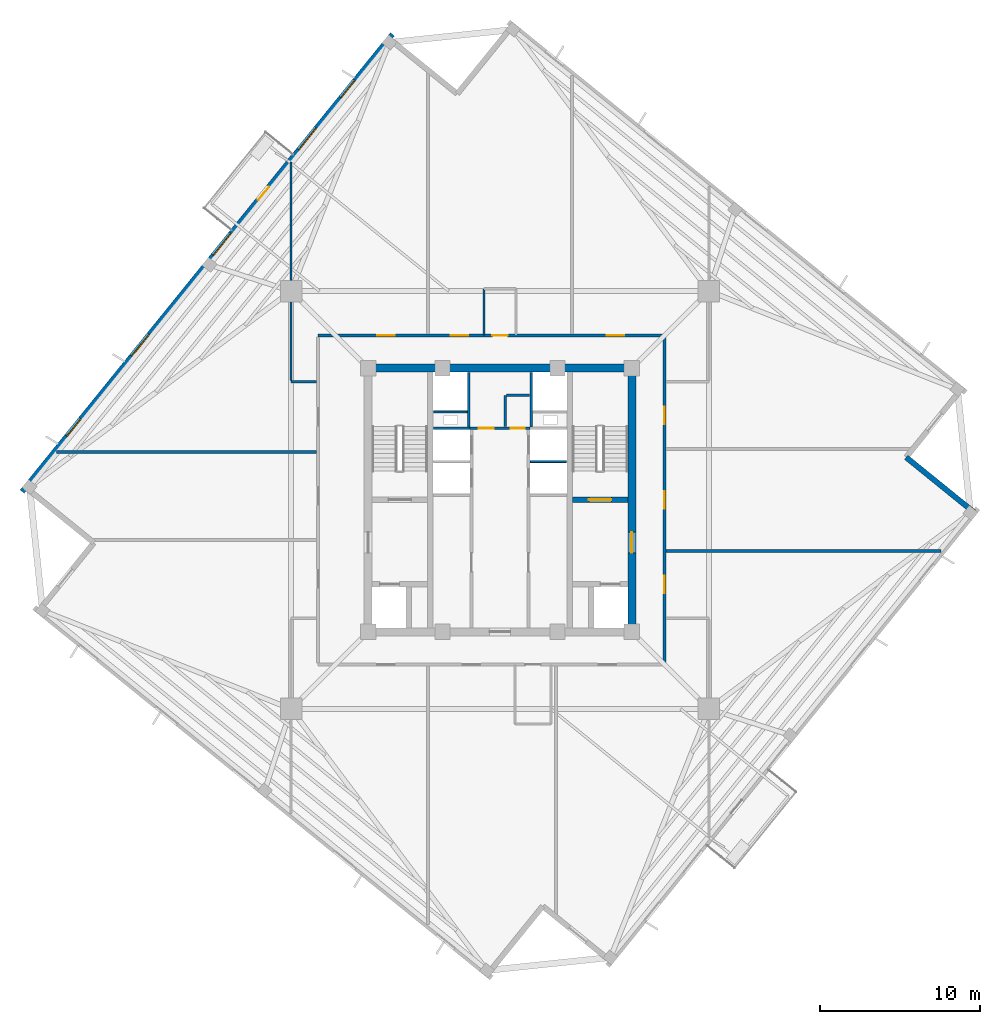
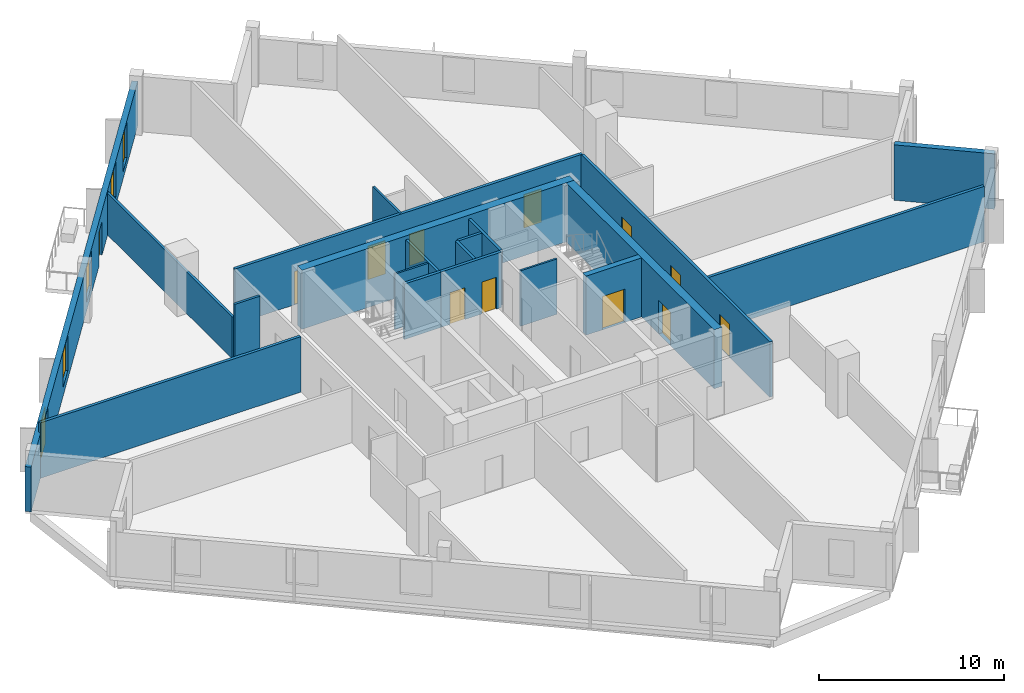
# One storey, part 4 of 9: 20 walls, 12 doors, 5 windows, 17 openings.
"""IFC4 building model written with IfcOpenShell, lengths in metres."""

from ifc_helpers import new_model, si_unit, direction, frame, frame_2d, origin, place, context, subcontext, project, spatial, rectangle, extrude, source, transform, mapped, material, layer, layer_set, type_object, element, fill, save


model = new_model("IFC4")

# Units and contexts
model_context = context("Model", 3, precision=1e-05, world=origin(), true_north=direction((0.0, 1.0)))
body_context = subcontext(model_context, "Body", "Model", "MODEL_VIEW")
ifc_project = project(units=[si_unit("LENGTHUNIT", "METRE"), si_unit("AREAUNIT", "SQUARE_METRE"), si_unit("VOLUMEUNIT", "CUBIC_METRE"), si_unit("PLANEANGLEUNIT", "RADIAN"), si_unit("MASSUNIT", "GRAM", prefix="KILO"), si_unit("THERMODYNAMICTEMPERATUREUNIT", "KELVIN")], contexts=[model_context])

# Site, building, storey
site_placement = place(None, origin())
site = spatial("IfcSite", under=ifc_project, at=site_placement, CompositionType="ELEMENT")
building_placement = place(site_placement, origin())
building = spatial("IfcBuilding", under=site, at=building_placement, Name="Kosmvard Interchange Tower", CompositionType="ELEMENT")
storey_placement = place(building_placement, frame((0.0, 0.0, 236.800048828125)))
storey = spatial("IfcBuildingStorey", under=building, at=storey_placement, Name="L57", CompositionType="ELEMENT", Elevation=236.800048828125)

# Walls
ifc_material_1 = material(Name="Acoustic gypsum partition system")
ifc_layer_1 = layer(ifc_material_1, 0.14990234375, Name="Acoustic gypsum partition system")
ifc_layer_set_1 = layer_set([ifc_layer_1], Name="Acoustic gypsum partition system")
wall_type_1 = type_object("IfcWallType", Name="Acoustic Suite & Meeting Partition 150", PredefinedType="PARTITIONING", material=ifc_layer_set_1)
wall_1_placement = place(storey_placement, frame((-11.4951171875, 7.39990234375, 0.0), z_axis=(0.0, 0.0, 1.0), x_axis=(-1.0, 0.0, 0.0)))
element("IfcWall", 1, at=wall_1_placement, inside=storey, type_object=wall_type_1, Name="L57 Room Partition 09.1", PredefinedType="PARTITIONING", context=body_context, shape_type="SweptSolid", body=[
    extrude(rectangle(XDim=1.5859375, YDim=0.14990234375, at=frame_2d((0.79296875, 0.0))), origin(), (0.0, 0.0, 1.0), 3.659912109375),
])
wall_2_placement = place(storey_placement, frame((-13.0810546875, 7.47509765625, 0.0), z_axis=(0.0, 0.0, 1.0), x_axis=(0.0, 1.0, 0.0)))
element("IfcWall", 2, at=wall_2_placement, inside=storey, type_object=wall_type_1, Name="L57 Room Partition 10.1", PredefinedType="PARTITIONING", context=body_context, shape_type="SweptSolid", body=[
    extrude(rectangle(XDim=13.67333984375, YDim=0.14990234375, at=frame_2d((6.836669921875, 0.0))), origin(), (0.0, 0.0, 1.0), 2.760009765625),
])
ifc_material_2 = material(Name="Fire-rated gypsum partition system")
ifc_layer_2 = layer(ifc_material_2, 0.159912109375, Name="Fire-rated gypsum partition system")
ifc_layer_set_2 = layer_set([ifc_layer_2], Name="Fire-rated gypsum partition system")
wall_type_2 = type_object("IfcWallType", Name="Core Compartment & Shuttle Lobby Partition 160", PredefinedType="PARTITIONING", material=ifc_layer_set_2)
for number, where, z_axis, x_axis, name in (
    (3, (-1.9599609375, 4.580078125, 0.0), (0.0, 0.0, 1.0), (0.0, 1.0, 0.0), "L57 North Core West Wall"),
    (4, (1.9599609375, 4.580078125, 0.0), (0.0, 0.0, 1.0), (0.0, 1.0, 0.0), "L57 North Core East Wall"),
):
    element("IfcWall", number, at=place(storey_placement, frame(where, z_axis=z_axis, x_axis=x_axis)), inside=storey, type_object=wall_type_2, Name=name, PredefinedType="PARTITIONING", context=body_context, shape_type="SweptSolid", body=[
        extrude(rectangle(XDim=3.39990234375, YDim=0.159912109375, at=frame_2d((1.699951171875, 0.0))), origin(), (0.0, 0.0, 1.0), 3.659912109375),
    ])
ifc_material_3 = material(Name="Concrete blockwork masonry", Category="masonry")
ifc_layer_3 = layer(ifc_material_3, 0.159912109375, Name="Concrete blockwork masonry")
ifc_layer_set_3 = layer_set([ifc_layer_3], Name="Concrete blockwork masonry")
wall_type_3 = type_object("IfcWallType", Name="Core Enclosure Split Wall 160", PredefinedType="PARTITIONING", material=ifc_layer_set_3)
wall_3_placement = place(storey_placement, frame((0.320068359375, 4.60009765625, 0.0), z_axis=(0.0, 0.0, 1.0), x_axis=(0.0, 1.0, 0.0)))
element("IfcWall", 5, at=wall_3_placement, inside=storey, type_object=wall_type_3, Name="L57 Core K3 L-Wall 1", PredefinedType="PARTITIONING", context=body_context, shape_type="SweptSolid", body=[
    extrude(rectangle(XDim=1.949951171875, YDim=0.159912109375, at=frame_2d((0.97509765625, 0.0))), origin(), (0.0, 0.0, 1.0), 3.659912109375),
])
wall_4_placement = place(storey_placement, frame((0.39990234375, 6.550048828125, 0.0), z_axis=(0.0, 0.0, 1.0), x_axis=(1.0, 0.0, 0.0)))
element("IfcWall", 6, at=wall_4_placement, inside=storey, type_object=wall_type_3, Name="L57 Core K3 L-Wall 2", PredefinedType="PARTITIONING", context=body_context, shape_type="SweptSolid", body=[
    extrude(rectangle(XDim=1.460205078125, YDim=0.159912109375, at=frame_2d((0.72998046875, 0.0))), origin(), (0.0, 0.0, 1.0), 3.659912109375),
])

# Wall, openings, doors
ifc_layer_4 = layer(ifc_material_2, 0.179931640625, Name="Fire-rated gypsum partition system")
ifc_layer_set_4 = layer_set([ifc_layer_4], Name="Fire-rated gypsum partition system")
wall_type_4 = type_object("IfcWallType", Name="Corridor & Hotel Compartment Partition 180", PredefinedType="PARTITIONING", material=ifc_layer_set_4)
wall_5_placement = place(storey_placement, frame((-1.8798828125, 4.489990234375, 0.0), z_axis=(0.0, 0.0, 1.0), x_axis=(1.0, 0.0, 0.0)))
wall_5 = element("IfcWall", 7, at=wall_5_placement, inside=storey, type_object=wall_type_4, Name="L57 Lift Lobby North Partition", PredefinedType="PARTITIONING", context=body_context, shape_type="SweptSolid", body=[
    extrude(rectangle(XDim=3.759765625, YDim=0.179931640625, at=frame_2d((1.8798828125, 0.0))), origin(), (0.0, 0.0, 1.0), 3.659912109375),
])
opening_1_placement = place(wall_5_placement, frame((0.550048828125, 0.0, 0.0)))
opening_1 = element("IfcOpeningElement", 8, at=opening_1_placement, cuts=wall_5, Name="Opening L57-KD1", PredefinedType="OPENING", context=body_context, shape_type="SweptSolid", body=[
    extrude(rectangle(XDim=0.949951171875, YDim=2.10009765625, at=frame_2d((0.47509765625, 1.050048828125))), frame((0.0, 0.10009765625, 0.0), z_axis=(0.0, -1.0, 0.0), x_axis=(1.0, 0.0, 0.0)), (0.0, 0.0, 1.0), 0.199951171875),
])
opening_2_placement = place(wall_5_placement, frame((2.56005859375, 0.0, 0.0)))
opening_2 = element("IfcOpeningElement", 9, at=opening_2_placement, cuts=wall_5, Name="Opening L57-KD2", PredefinedType="OPENING", context=body_context, shape_type="SweptSolid", body=[
    extrude(rectangle(XDim=0.8798828125, YDim=2.10009765625, at=frame_2d((0.43994140625, 1.050048828125))), frame((0.0, 0.10009765625, 0.0), z_axis=(0.0, -1.0, 0.0), x_axis=(1.0, 0.0, 0.0)), (0.0, 0.0, 1.0), 0.199951171875),
])
ifc_material_4 = material(Name="Painted fire-rated timber leaf", Category="wood")
door_type_1 = type_object("IfcDoorType", Name="Core Service Fire Door 950x2100 EI30", OperationType="NOTDEFINED", PredefinedType="DOOR", material=ifc_material_4)
shared_shape_1 = source(origin(), body_context, "Body", "SweptSolid", [
    extrude(rectangle(XDim=0.949951171875, YDim=2.10009765625, at=frame_2d((0.47509765625, 1.050048828125))), frame((0.0, 0.02490234375, 0.0), z_axis=(0.0, -1.0, 0.0), x_axis=(1.0, 0.0, 0.0)), (0.0, 0.0, 1.0), 0.050048828125),
])
door_1_placement = place(opening_1_placement, origin())
door_1 = element("IfcDoor", 10, at=door_1_placement, inside=storey, type_object=door_type_1, Name="L57 Core Archive Store Door", OperationType="SINGLE_SWING_LEFT", OverallHeight=2.10009765625, OverallWidth=0.949951171875, PredefinedType="DOOR", context=body_context, shape_type="MappedRepresentation", body=[
    mapped(shared_shape_1, transform((0.0, 0.0, 0.0), scale=1.0)),
])
fill(opening_1, door_1)
door_type_2 = type_object("IfcDoorType", Name="Core Cupboard Fire Door 880x2100 EI30", OperationType="NOTDEFINED", PredefinedType="DOOR", material=ifc_material_4)
shared_shape_2 = source(origin(), body_context, "Body", "SweptSolid", [
    extrude(rectangle(XDim=0.8798828125, YDim=2.10009765625, at=frame_2d((0.43994140625, 1.050048828125))), frame((0.0, 0.02490234375, 0.0), z_axis=(0.0, -1.0, 0.0), x_axis=(1.0, 0.0, 0.0)), (0.0, 0.0, 1.0), 0.050048828125),
])
door_2_placement = place(opening_2_placement, origin())
door_2 = element("IfcDoor", 11, at=door_2_placement, inside=storey, type_object=door_type_2, Name="L57 Core Supplies Cupboard Door", OperationType="SINGLE_SWING_RIGHT", OverallHeight=2.10009765625, OverallWidth=0.8798828125, PredefinedType="DOOR", context=body_context, shape_type="MappedRepresentation", body=[
    mapped(shared_shape_2, transform((0.0, 0.0, 0.0), scale=1.0)),
])
fill(opening_2, door_2)

wall_6_placement = place(storey_placement, frame((-11.39990234375, 10.300048828125, 0.0), z_axis=(0.0, 0.0, 1.0), x_axis=(1.0, 0.0, 0.0)))
wall_6 = element("IfcWall", 12, at=wall_6_placement, inside=storey, type_object=wall_type_4, Name="L57 Corridor Wall CN", PredefinedType="PARTITIONING", context=body_context, shape_type="SweptSolid", body=[
    extrude(rectangle(XDim=21.699951171875, YDim=0.179931640625, at=frame_2d((10.85009765625, 0.0))), origin(), (0.0, 0.0, 1.0), 3.659912109375),
])
opening_3_placement = place(wall_6_placement, frame((10.925048828125, 0.0, 0.0)))
opening_3 = element("IfcOpeningElement", 13, at=opening_3_placement, cuts=wall_6, Name="Opening L57-D01", PredefinedType="OPENING", context=body_context, shape_type="SweptSolid", body=[
    extrude(rectangle(XDim=0.949951171875, YDim=2.10009765625, at=frame_2d((0.47509765625, 1.050048828125))), frame((0.0, 0.10009765625, 0.0), z_axis=(0.0, -1.0, 0.0), x_axis=(1.0, 0.0, 0.0)), (0.0, 0.0, 1.0), 0.199951171875),
])
opening_4_placement = place(wall_6_placement, frame((3.724365234375, 0.0, 0.0)))
opening_4 = element("IfcOpeningElement", 14, at=opening_4_placement, cuts=wall_6, Name="Opening L57-D04", PredefinedType="OPENING", context=body_context, shape_type="SweptSolid", body=[
    extrude(rectangle(XDim=1.10009765625, YDim=2.199951171875, at=frame_2d((0.550048828125, 1.10009765625))), frame((0.0, 0.10009765625, 0.0), z_axis=(0.0, -1.0, 0.0), x_axis=(1.0, 0.0, 0.0)), (0.0, 0.0, 1.0), 0.199951171875),
])
opening_5_placement = place(wall_6_placement, frame((8.325927734375, 0.0, 0.0)))
opening_5 = element("IfcOpeningElement", 15, at=opening_5_placement, cuts=wall_6, Name="Opening L57-D05", PredefinedType="OPENING", context=body_context, shape_type="SweptSolid", body=[
    extrude(rectangle(XDim=1.10009765625, YDim=2.199951171875, at=frame_2d((0.550048828125, 1.10009765625))), frame((0.0, 0.10009765625, 0.0), z_axis=(0.0, -1.0, 0.0), x_axis=(1.0, 0.0, 0.0)), (0.0, 0.0, 1.0), 0.199951171875),
])
opening_6_placement = place(wall_6_placement, frame((18.08544921875, 0.0, 0.0)))
opening_6 = element("IfcOpeningElement", 16, at=opening_6_placement, cuts=wall_6, Name="Opening L57-D06", PredefinedType="OPENING", context=body_context, shape_type="SweptSolid", body=[
    extrude(rectangle(XDim=1.10009765625, YDim=2.199951171875, at=frame_2d((0.550048828125, 1.10009765625))), frame((0.0, 0.10009765625, 0.0), z_axis=(0.0, -1.0, 0.0), x_axis=(1.0, 0.0, 0.0)), (0.0, 0.0, 1.0), 0.199951171875),
])
ifc_material_5 = material(Name="Laminated moisture-resistant timber", Category="wood")
door_type_3 = type_object("IfcDoorType", Name="Accessible Washroom Door 950x2100", OperationType="NOTDEFINED", PredefinedType="DOOR", material=ifc_material_5)
door_3_placement = place(opening_3_placement, origin())
door_3 = element("IfcDoor", 17, at=door_3_placement, inside=storey, type_object=door_type_3, Name="L57 Accessible Toilet Door", OperationType="SINGLE_SWING_LEFT", OverallHeight=2.10009765625, OverallWidth=0.949951171875, PredefinedType="DOOR", context=body_context, shape_type="MappedRepresentation", body=[
    mapped(shared_shape_1, transform((0.0, 0.0, 0.0), scale=1.0)),
])
fill(opening_3, door_3)
ifc_material_6 = material(Name="Engineered oak fire-rated timber", Category="wood")
door_type_4 = type_object("IfcDoorType", Name="Office Suite Entrance Door 1100x2200 FD30S", OperationType="NOTDEFINED", PredefinedType="DOOR", material=ifc_material_6)
shared_shape_3 = source(origin(), body_context, "Body", "SweptSolid", [
    extrude(rectangle(XDim=1.10009765625, YDim=2.199951171875, at=frame_2d((0.550048828125, 1.10009765625))), frame((0.0, 0.02490234375, 0.0), z_axis=(0.0, -1.0, 0.0), x_axis=(1.0, 0.0, 0.0)), (0.0, 0.0, 1.0), 0.050048828125),
])
door_4_placement = place(opening_4_placement, origin())
door_4 = element("IfcDoor", 18, at=door_4_placement, inside=storey, type_object=door_type_4, Name="L57 North Horizon Boardroom Door", OperationType="SINGLE_SWING_RIGHT", OverallHeight=2.199951171875, OverallWidth=1.10009765625, PredefinedType="DOOR", context=body_context, shape_type="MappedRepresentation", body=[
    mapped(shared_shape_3, transform((0.0, 0.0, 0.0), scale=1.0)),
])
fill(opening_4, door_4)
door_5_placement = place(opening_5_placement, origin())
door_5 = element("IfcDoor", 19, at=door_5_placement, inside=storey, type_object=door_type_4, Name="L57 North-East Corner Office Door", OperationType="SINGLE_SWING_LEFT", OverallHeight=2.199951171875, OverallWidth=1.10009765625, PredefinedType="DOOR", context=body_context, shape_type="MappedRepresentation", body=[
    mapped(shared_shape_3, transform((0.0, 0.0, 0.0), scale=1.0)),
])
fill(opening_5, door_5)
door_6_placement = place(opening_6_placement, origin())
door_6 = element("IfcDoor", 20, at=door_6_placement, inside=storey, type_object=door_type_4, Name="L57 East Executive Office 3 Door", OperationType="SINGLE_SWING_RIGHT", OverallHeight=2.199951171875, OverallWidth=1.10009765625, PredefinedType="DOOR", context=body_context, shape_type="MappedRepresentation", body=[
    mapped(shared_shape_3, transform((0.0, 0.0, 0.0), scale=1.0)),
])
fill(opening_6, door_6)

wall_7_placement = place(storey_placement, frame((10.300048828125, -10.199951171875, 0.0), z_axis=(0.0, 0.0, 1.0), x_axis=(0.0, 1.0, 0.0)))
wall_7 = element("IfcWall", 21, at=wall_7_placement, inside=storey, type_object=wall_type_4, Name="L57 Corridor Wall CE", PredefinedType="PARTITIONING", context=body_context, shape_type="SweptSolid", body=[
    extrude(rectangle(XDim=20.39990234375, YDim=0.179931640625, at=frame_2d((10.199951171875, 0.0))), origin(), (0.0, 0.0, 1.0), 3.659912109375),
])
opening_7_placement = place(wall_7_placement, frame((14.949951171875, 0.0, 0.0)))
opening_7 = element("IfcOpeningElement", 22, at=opening_7_placement, cuts=wall_7, Name="Opening L57-D07", PredefinedType="OPENING", context=body_context, shape_type="SweptSolid", body=[
    extrude(rectangle(XDim=1.10009765625, YDim=2.199951171875, at=frame_2d((0.550048828125, 1.10009765625))), frame((0.0, 0.10009765625, 0.0), z_axis=(0.0, -1.0, 0.0), x_axis=(1.0, 0.0, 0.0)), (0.0, 0.0, 1.0), 0.199951171875),
])
opening_8_placement = place(wall_7_placement, frame((9.64990234375, 0.0, 0.0)))
opening_8 = element("IfcOpeningElement", 23, at=opening_8_placement, cuts=wall_7, Name="Opening L57-D08", PredefinedType="OPENING", context=body_context, shape_type="SweptSolid", body=[
    extrude(rectangle(XDim=1.10009765625, YDim=2.199951171875, at=frame_2d((0.550048828125, 1.10009765625))), frame((0.0, 0.10009765625, 0.0), z_axis=(0.0, -1.0, 0.0), x_axis=(1.0, 0.0, 0.0)), (0.0, 0.0, 1.0), 0.199951171875),
])
opening_9_placement = place(wall_7_placement, frame((4.35009765625, 0.0, 0.0)))
opening_9 = element("IfcOpeningElement", 24, at=opening_9_placement, cuts=wall_7, Name="Opening L57-D09", PredefinedType="OPENING", context=body_context, shape_type="SweptSolid", body=[
    extrude(rectangle(XDim=1.10009765625, YDim=2.199951171875, at=frame_2d((0.550048828125, 1.10009765625))), frame((0.0, 0.10009765625, 0.0), z_axis=(0.0, -1.0, 0.0), x_axis=(1.0, 0.0, 0.0)), (0.0, 0.0, 1.0), 0.199951171875),
])
door_7_placement = place(opening_7_placement, frame((1.10009765625, 0.0, 0.0), z_axis=(0.0, 0.0, 1.0), x_axis=(-1.0, 0.0, 0.0)))
door_7 = element("IfcDoor", 25, at=door_7_placement, inside=storey, type_object=door_type_4, Name="L57 East Executive Office 4 Door", OperationType="SINGLE_SWING_LEFT", OverallHeight=2.199951171875, OverallWidth=1.10009765625, PredefinedType="DOOR", context=body_context, shape_type="MappedRepresentation", body=[
    mapped(shared_shape_3, transform((0.0, 0.0, 0.0), scale=1.0)),
])
fill(opening_7, door_7)
door_8_placement = place(opening_8_placement, frame((1.10009765625, 0.0, 0.0), z_axis=(0.0, 0.0, 1.0), x_axis=(-1.0, 0.0, 0.0)))
door_8 = element("IfcDoor", 26, at=door_8_placement, inside=storey, type_object=door_type_4, Name="L57 South-East Corner Office Door", OperationType="SINGLE_SWING_RIGHT", OverallHeight=2.199951171875, OverallWidth=1.10009765625, PredefinedType="DOOR", context=body_context, shape_type="MappedRepresentation", body=[
    mapped(shared_shape_3, transform((0.0, 0.0, 0.0), scale=1.0)),
])
fill(opening_8, door_8)
door_9_placement = place(opening_9_placement, frame((1.10009765625, 0.0, 0.0), z_axis=(0.0, 0.0, 1.0), x_axis=(-1.0, 0.0, 0.0)))
door_9 = element("IfcDoor", 27, at=door_9_placement, inside=storey, type_object=door_type_4, Name="L57 South Conference Room 2 Door", OperationType="SINGLE_SWING_LEFT", OverallHeight=2.199951171875, OverallWidth=1.10009765625, PredefinedType="DOOR", context=body_context, shape_type="MappedRepresentation", body=[
    mapped(shared_shape_3, transform((0.0, 0.0, 0.0), scale=1.0)),
])
fill(opening_9, door_9)

# Walls
wall_8_placement = place(storey_placement, frame((10.39501953125, -3.199951171875, 0.0), z_axis=(0.0, 0.0, 1.0), x_axis=(1.0, 0.0, 0.0)))
element("IfcWall", 28, at=wall_8_placement, inside=storey, type_object=wall_type_4, Name="L57 Room Partition 04.1", PredefinedType="PARTITIONING", context=body_context, shape_type="SweptSolid", body=[
    extrude(rectangle(XDim=17.220458984375, YDim=0.179931640625, at=frame_2d((8.6103515625, 0.0))), origin(), (0.0, 0.0, 1.0), 3.659912109375),
])
wall_9_placement = place(storey_placement, frame((-11.4951171875, 3.0, 0.0), z_axis=(0.0, 0.0, 1.0), x_axis=(-1.0, 0.0, 0.0)))
element("IfcWall", 29, at=wall_9_placement, inside=storey, type_object=wall_type_4, Name="L57 Room Partition 08.1", PredefinedType="PARTITIONING", context=body_context, shape_type="SweptSolid", body=[
    extrude(rectangle(XDim=16.2822265625, YDim=0.179931640625, at=frame_2d((8.14111328125, 0.0))), origin(), (0.0, 0.0, 1.0), 3.659912109375),
])
ifc_material_7 = material(Name="Precast concrete C45/55", Category="concrete")
ifc_layer_5 = layer(ifc_material_7, 0.340087890625, Name="Precast concrete C45/55")
ifc_layer_set_5 = layer_set([ifc_layer_5], Name="Precast concrete C45/55")
wall_type_5 = type_object("IfcWallType", Name="Mid Tower Precast Pier Wall 340 C45/55", PredefinedType="STANDARD", material=ifc_layer_set_5)
wall_10_placement = place(storey_placement, frame((29.703125, -0.78857421875, 0.0), z_axis=(0.0, 0.0, 1.0), x_axis=(-0.77714355312, 0.629323365087, 0.0)))
element("IfcWall", 30, at=wall_10_placement, inside=storey, type_object=wall_type_5, Name="L57 Precast Facade Wall N-SE1", PredefinedType="STANDARD", context=body_context, shape_type="SweptSolid", body=[
    extrude(rectangle(XDim=5.499755859375, YDim=0.340087890625, at=frame_2d((2.75, 0.0))), origin(), (0.0, 0.0, 1.0), 3.659912109375),
])

# Wall, openings, door, windows
wall_11_placement = place(storey_placement, frame((-6.73291015625, 29.154296875, 0.0), z_axis=(0.0, 0.0, 1.0), x_axis=(-0.629325378072, -0.77714192302, 0.0)))
wall_11 = element("IfcWall", 31, at=wall_11_placement, inside=storey, type_object=wall_type_5, Name="L57 Precast Facade Wall F-N", PredefinedType="STANDARD", context=body_context, shape_type="SweptSolid", body=[
    extrude(rectangle(XDim=36.840087890625, YDim=0.340087890625, at=frame_2d((18.419921875, 0.0))), origin(), (0.0, 0.0, 1.0), 2.9599609375),
])
opening_10_placement = place(wall_11_placement, frame((12.294921875, 0.0, 0.0)))
opening_10 = element("IfcOpeningElement", 32, at=opening_10_placement, cuts=wall_11, Name="Opening L57-BDN", PredefinedType="OPENING", context=body_context, shape_type="SweptSolid", body=[
    extrude(rectangle(XDim=1.050048828125, YDim=2.25, at=frame_2d((0.52490234375, 1.125))), frame((0.0, 0.18017578125, 0.0), z_axis=(0.0, -1.0, 0.0), x_axis=(1.0, 0.0, 0.0)), (0.0, 0.0, 1.0), 0.360107421875),
])
opening_11_placement = place(wall_11_placement, frame((3.720703125, 0.0, 0.47998046875)))
opening_11 = element("IfcOpeningElement", 33, at=opening_11_placement, cuts=wall_11, Name="Opening L57-W11", PredefinedType="OPENING", context=body_context, shape_type="SweptSolid", body=[
    extrude(rectangle(XDim=1.39990234375, YDim=2.39990234375, at=frame_2d((0.699951171875, 1.199951171875))), frame((0.0, 0.18017578125, 0.0), z_axis=(0.0, -1.0, 0.0), x_axis=(1.0, 0.0, 0.0)), (0.0, 0.0, 1.0), 0.360107421875),
])
opening_12_placement = place(wall_11_placement, frame((7.55859375, 0.0, 0.580078125)))
opening_12 = element("IfcOpeningElement", 34, at=opening_12_placement, cuts=wall_11, Name="Opening L57-W12", PredefinedType="OPENING", context=body_context, shape_type="SweptSolid", body=[
    extrude(rectangle(XDim=1.75, YDim=2.300048828125, at=frame_2d((0.875, 1.14990234375))), frame((0.0, 0.18017578125, 0.0), z_axis=(0.0, -1.0, 0.0), x_axis=(1.0, 0.0, 0.0)), (0.0, 0.0, 1.0), 0.360107421875),
])
opening_13_placement = place(wall_11_placement, frame((16.05810546875, 0.0, 0.580078125)))
opening_13 = element("IfcOpeningElement", 35, at=opening_13_placement, cuts=wall_11, Name="Opening L57-W13", PredefinedType="OPENING", context=body_context, shape_type="SweptSolid", body=[
    extrude(rectangle(XDim=1.75, YDim=2.300048828125, at=frame_2d((0.875, 1.14990234375))), frame((0.0, 0.18017578125, 0.0), z_axis=(0.0, -1.0, 0.0), x_axis=(1.0, 0.0, 0.0)), (0.0, 0.0, 1.0), 0.360107421875),
])
opening_14_placement = place(wall_11_placement, frame((24.17626953125, 0.0, 0.580078125)))
opening_14 = element("IfcOpeningElement", 36, at=opening_14_placement, cuts=wall_11, Name="Opening L57-W14", PredefinedType="OPENING", context=body_context, shape_type="SweptSolid", body=[
    extrude(rectangle(XDim=1.75, YDim=2.300048828125, at=frame_2d((0.875, 1.14990234375))), frame((0.0, 0.18017578125, 0.0), z_axis=(0.0, -1.0, 0.0), x_axis=(1.0, 0.0, 0.0)), (0.0, 0.0, 1.0), 0.360107421875),
])
opening_15_placement = place(wall_11_placement, frame((30.982421875, 0.0, 0.47998046875)))
opening_15 = element("IfcOpeningElement", 37, at=opening_15_placement, cuts=wall_11, Name="Opening L57-W15", PredefinedType="OPENING", context=body_context, shape_type="SweptSolid", body=[
    extrude(rectangle(XDim=1.39990234375, YDim=2.39990234375, at=frame_2d((0.699951171875, 1.199951171875))), frame((0.0, 0.18017578125, 0.0), z_axis=(0.0, -1.0, 0.0), x_axis=(1.0, 0.0, 0.0)), (0.0, 0.0, 1.0), 0.360107421875),
])
ifc_material_8 = material(Name="Anodised aluminium and safety glass", Category="aluminium")
door_type_5 = type_object("IfcDoorType", Name="Tree-Balcony Glazed Door 1050x2250", OperationType="NOTDEFINED", PredefinedType="DOOR", material=ifc_material_8)
shared_shape_4 = source(origin(), body_context, "Body", "SweptSolid", [
    extrude(rectangle(XDim=1.050048828125, YDim=2.25, at=frame_2d((0.52490234375, 1.125))), frame((0.0, 0.02490234375, 0.0), z_axis=(0.0, -1.0, 0.0), x_axis=(1.0, 0.0, 0.0)), (0.0, 0.0, 1.0), 0.050048828125),
])
door_10_placement = place(opening_10_placement, origin())
door_10 = element("IfcDoor", 38, at=door_10_placement, inside=storey, type_object=door_type_5, Name="L57 Tree-Balcony Door BAL-L57-N", OperationType="SINGLE_SWING_RIGHT", OverallHeight=2.25, OverallWidth=1.050048828125, PredefinedType="DOOR", context=body_context, shape_type="MappedRepresentation", body=[
    mapped(shared_shape_4, transform((0.0, 0.0, 0.0), scale=1.0)),
])
fill(opening_10, door_10)
ifc_material_9 = material(Name="Low-E solar-control double glazing", Category="glass")
window_type_1 = type_object("IfcWindowType", Name="Notched Corner Feature Window 1400x2400", PartitioningType="SINGLE_PANEL", PredefinedType="WINDOW", material=ifc_material_9)
shared_shape_5 = source(origin(), body_context, "Body", "SweptSolid", [
    extrude(rectangle(XDim=1.39990234375, YDim=2.39990234375, at=frame_2d((0.699951171875, 1.199951171875))), frame((0.0, 0.030029296875, 0.0), z_axis=(0.0, -1.0, 0.0), x_axis=(1.0, 0.0, 0.0)), (0.0, 0.0, 1.0), 0.06005859375),
])
window_1_placement = place(opening_11_placement, origin())
window_1 = element("IfcWindow", 39, at=window_1_placement, inside=storey, type_object=window_type_1, Name="L57 Facade Punched Window 11", OverallHeight=2.39990234375, OverallWidth=1.39990234375, PartitioningType="SINGLE_PANEL", PredefinedType="WINDOW", context=body_context, shape_type="MappedRepresentation", body=[
    mapped(shared_shape_5, transform((0.0, 0.0, 0.0), scale=1.0)),
])
fill(opening_11, window_1)
window_2_placement = place(opening_15_placement, origin())
window_2 = element("IfcWindow", 40, at=window_2_placement, inside=storey, type_object=window_type_1, Name="L57 Facade Punched Window 15", OverallHeight=2.39990234375, OverallWidth=1.39990234375, PartitioningType="SINGLE_PANEL", PredefinedType="WINDOW", context=body_context, shape_type="MappedRepresentation", body=[
    mapped(shared_shape_5, transform((0.0, 0.0, 0.0), scale=1.0)),
])
fill(opening_15, window_2)
window_type_2 = type_object("IfcWindowType", Name="Zone 4 Suite Punched Window 1750x2300", PartitioningType="SINGLE_PANEL", PredefinedType="WINDOW", material=ifc_material_9)
shared_shape_6 = source(origin(), body_context, "Body", "SweptSolid", [
    extrude(rectangle(XDim=1.75, YDim=2.300048828125, at=frame_2d((0.875, 1.14990234375))), frame((0.0, 0.030029296875, 0.0), z_axis=(0.0, -1.0, 0.0), x_axis=(1.0, 0.0, 0.0)), (0.0, 0.0, 1.0), 0.06005859375),
])
window_3_placement = place(opening_12_placement, origin())
window_3 = element("IfcWindow", 41, at=window_3_placement, inside=storey, type_object=window_type_2, Name="L57 Facade Punched Window 12", OverallHeight=2.300048828125, OverallWidth=1.75, PartitioningType="SINGLE_PANEL", PredefinedType="WINDOW", context=body_context, shape_type="MappedRepresentation", body=[
    mapped(shared_shape_6, transform((0.0, 0.0, 0.0), scale=1.0)),
])
fill(opening_12, window_3)
window_4_placement = place(opening_13_placement, origin())
window_4 = element("IfcWindow", 42, at=window_4_placement, inside=storey, type_object=window_type_2, Name="L57 Facade Punched Window 13", OverallHeight=2.300048828125, OverallWidth=1.75, PartitioningType="SINGLE_PANEL", PredefinedType="WINDOW", context=body_context, shape_type="MappedRepresentation", body=[
    mapped(shared_shape_6, transform((0.0, 0.0, 0.0), scale=1.0)),
])
fill(opening_13, window_4)
window_5_placement = place(opening_14_placement, origin())
window_5 = element("IfcWindow", 43, at=window_5_placement, inside=storey, type_object=window_type_2, Name="L57 Facade Punched Window 14", OverallHeight=2.300048828125, OverallWidth=1.75, PartitioningType="SINGLE_PANEL", PredefinedType="WINDOW", context=body_context, shape_type="MappedRepresentation", body=[
    mapped(shared_shape_6, transform((0.0, 0.0, 0.0), scale=1.0)),
])
fill(opening_14, window_5)

# Walls
ifc_layer_6 = layer(ifc_material_3, 0.179931640625, Name="Concrete blockwork masonry")
ifc_layer_set_6 = layer_set([ifc_layer_6], Name="Concrete blockwork masonry")
wall_type_6 = type_object("IfcWallType", Name="Riser & Lift Bank Divider Wall 180", PredefinedType="PARTITIONING", material=ifc_layer_set_6)
wall_12_placement = place(storey_placement, frame((-4.169921875, 4.489990234375, 0.0), z_axis=(0.0, 0.0, 1.0), x_axis=(1.0, 0.0, 0.0)))
element("IfcWall", 44, at=wall_12_placement, inside=storey, type_object=wall_type_6, Name="L57 West Bank Divider BD3", PredefinedType="PARTITIONING", context=body_context, shape_type="SweptSolid", body=[
    extrude(rectangle(XDim=2.280029296875, YDim=0.179931640625, at=frame_2d((1.14013671875, 0.0))), origin(), (0.0, 0.0, 1.0), 3.659912109375),
])
ifc_material_10 = material(Name="Fire-rated gypsum shaftwall system")
ifc_layer_7 = layer(ifc_material_10, 0.1201171875, Name="Fire-rated gypsum shaftwall system")
ifc_layer_set_7 = layer_set([ifc_layer_7], Name="Fire-rated gypsum shaftwall system")
wall_type_7 = type_object("IfcWallType", Name="Shaft & Riser Fire Partition 120 EI60", PredefinedType="PARTITIONING", material=ifc_layer_set_7)
wall_13_placement = place(storey_placement, frame((1.89990234375, 2.39990234375, 0.0), z_axis=(0.0, 0.0, 1.0), x_axis=(1.0, 0.0, 0.0)))
element("IfcWall", 45, at=wall_13_placement, inside=storey, type_object=wall_type_7, Name="L57 Shaft Divider PL-H3", PredefinedType="PARTITIONING", context=body_context, shape_type="SweptSolid", body=[
    extrude(rectangle(XDim=2.260009765625, YDim=0.1201171875, at=frame_2d((1.1298828125, 0.0))), origin(), (0.0, 0.0, 1.0), 3.659912109375),
])
wall_14_placement = place(storey_placement, frame((-4.159912109375, 5.52001953125, 0.0), z_axis=(0.0, 0.0, 1.0), x_axis=(1.0, 0.0, 0.0)))
element("IfcWall", 46, at=wall_14_placement, inside=storey, type_object=wall_type_7, Name="L57 Riser Shaft Divider W", PredefinedType="PARTITIONING", context=body_context, shape_type="SweptSolid", body=[
    extrude(rectangle(XDim=2.099853515625, YDim=0.1201171875, at=frame_2d((1.0498046875, 0.0))), origin(), (0.0, 0.0, 1.0), 3.659912109375),
])

# Wall, opening, door
ifc_material_11 = material(Name="Concrete C60/75", Category="concrete")
ifc_layer_8 = layer(ifc_material_11, 0.360107421875, Name="Concrete C60/75")
ifc_layer_set_8 = layer_set([ifc_layer_8], Name="Concrete C60/75")
wall_type_8 = type_object("IfcWallType", Name="Stair & Lift Shaft Shear Wall 360 C60/75", PredefinedType="SHEAR", material=ifc_layer_set_8)
wall_15_placement = place(storey_placement, frame((4.5400390625, 0.02001953125, 0.0), z_axis=(0.0, 0.0, 1.0), x_axis=(1.0, 0.0, 0.0)))
wall_15 = element("IfcWall", 47, at=wall_15_placement, inside=storey, type_object=wall_type_8, Name="L57 Shaft Shear Wall SW-ST2", PredefinedType="SHEAR", context=body_context, shape_type="SweptSolid", body=[
    extrude(rectangle(XDim=3.4599609375, YDim=0.360107421875, at=frame_2d((1.72998046875, 0.0))), origin(), (0.0, 0.0, 1.0), 3.89990234375),
])
opening_16_placement = place(wall_15_placement, frame((1.030029296875, 0.0, 0.0)))
opening_16 = element("IfcOpeningElement", 48, at=opening_16_placement, cuts=wall_15, Name="Opening L57-SD2", PredefinedType="OPENING", context=body_context, shape_type="SweptSolid", body=[
    extrude(rectangle(XDim=1.39990234375, YDim=2.199951171875, at=frame_2d((0.699951171875, 1.10009765625))), frame((0.0, 0.18994140625, 0.0), z_axis=(0.0, -1.0, 0.0), x_axis=(1.0, 0.0, 0.0)), (0.0, 0.0, 1.0), 0.380126953125),
])
ifc_material_12 = material(Name="Painted fire-rated steel leaf", Category="steel")
door_type_6 = type_object("IfcDoorType", Name="Protected Stair Door 1400x2200 FD60S", OperationType="NOTDEFINED", PredefinedType="DOOR", material=ifc_material_12)
shared_shape_7 = source(origin(), body_context, "Body", "SweptSolid", [
    extrude(rectangle(XDim=1.39990234375, YDim=2.199951171875, at=frame_2d((0.699951171875, 1.10009765625))), frame((0.0, 0.02490234375, 0.0), z_axis=(0.0, -1.0, 0.0), x_axis=(1.0, 0.0, 0.0)), (0.0, 0.0, 1.0), 0.050048828125),
])
door_11_placement = place(opening_16_placement, origin())
door_11 = element("IfcDoor", 49, at=door_11_placement, inside=storey, type_object=door_type_6, Name="L57 Stair ST-2 Enclosure Door", OperationType="SINGLE_SWING_RIGHT", OverallHeight=2.199951171875, OverallWidth=1.39990234375, PredefinedType="DOOR", context=body_context, shape_type="MappedRepresentation", body=[
    mapped(shared_shape_7, transform((0.0, 0.0, 0.0), scale=1.0)),
])
fill(opening_16, door_11)

# Wall
ifc_layer_9 = layer(ifc_material_11, 0.5, Name="Concrete C60/75")
ifc_layer_set_9 = layer_set([ifc_layer_9], Name="Concrete C60/75")
wall_type_9 = type_object("IfcWallType", Name="Upper Core Shear Wall 500 C60/75", PredefinedType="SHEAR", material=ifc_layer_set_9)
wall_16_placement = place(storey_placement, frame((-8.5, 8.25, 0.0), z_axis=(0.0, 0.0, 1.0), x_axis=(1.0, 0.0, 0.0)))
element("IfcWall", 50, at=wall_16_placement, inside=storey, type_object=wall_type_9, Name="L57 Core Shear Wall CW-N", PredefinedType="SHEAR", context=body_context, shape_type="SweptSolid", body=[
    extrude(rectangle(XDim=17.0, YDim=0.5, at=frame_2d((8.5, 0.0))), origin(), (0.0, 0.0, 1.0), 3.89990234375),
])

# Wall, opening, door
wall_17_placement = place(storey_placement, frame((8.25, -8.0, 0.0), z_axis=(0.0, 0.0, 1.0), x_axis=(0.0, 1.0, 0.0)))
wall_17 = element("IfcWall", 51, at=wall_17_placement, inside=storey, type_object=wall_type_9, Name="L57 Core Shear Wall CW-E", PredefinedType="SHEAR", context=body_context, shape_type="SweptSolid", body=[
    extrude(rectangle(XDim=16.0, YDim=0.5, at=frame_2d((8.0, 0.0))), origin(), (0.0, 0.0, 1.0), 3.89990234375),
])
opening_17_placement = place(wall_17_placement, frame((4.68994140625, 0.0, 0.0)))
opening_17 = element("IfcOpeningElement", 52, at=opening_17_placement, cuts=wall_17, Name="Opening L57-FD2", PredefinedType="OPENING", context=body_context, shape_type="SweptSolid", body=[
    extrude(rectangle(XDim=1.300048828125, YDim=2.199951171875, at=frame_2d((0.64990234375, 1.10009765625))), frame((0.0, 0.260009765625, 0.0), z_axis=(0.0, -1.0, 0.0), x_axis=(1.0, 0.0, 0.0)), (0.0, 0.0, 1.0), 0.52001953125),
])
door_type_7 = type_object("IfcDoorType", Name="Firefighting Lobby Door 1300x2200 EI60", OperationType="NOTDEFINED", PredefinedType="DOOR", material=ifc_material_12)
shared_shape_8 = source(origin(), body_context, "Body", "SweptSolid", [
    extrude(rectangle(XDim=1.300048828125, YDim=2.199951171875, at=frame_2d((0.64990234375, 1.10009765625))), frame((0.0, 0.02490234375, 0.0), z_axis=(0.0, -1.0, 0.0), x_axis=(1.0, 0.0, 0.0)), (0.0, 0.0, 1.0), 0.050048828125),
])
door_12_placement = place(opening_17_placement, origin())
door_12 = element("IfcDoor", 53, at=door_12_placement, inside=storey, type_object=door_type_7, Name="L57 Firefighting Lobby East Door", OperationType="SINGLE_SWING_RIGHT", OverallHeight=2.199951171875, OverallWidth=1.300048828125, PredefinedType="DOOR", context=body_context, shape_type="MappedRepresentation", body=[
    mapped(shared_shape_8, transform((0.0, 0.0, 0.0), scale=1.0)),
])
fill(opening_17, door_12)

# Wall
ifc_material_13 = material(Name="Moisture-resistant gypsum partition")
ifc_layer_10 = layer(ifc_material_13, 0.135009765625, Name="Moisture-resistant gypsum partition")
ifc_layer_set_10 = layer_set([ifc_layer_10], Name="Moisture-resistant gypsum partition")
wall_type_10 = type_object("IfcWallType", Name="Wet Room Moisture-Resistant Partition 135", PredefinedType="PARTITIONING", material=ifc_layer_set_10)
wall_18_placement = place(storey_placement, frame((-1.0, 10.320068359375, 0.0), z_axis=(0.0, 0.0, 1.0), x_axis=(0.0, 1.0, 0.0)))
element("IfcWall", 54, at=wall_18_placement, inside=storey, type_object=wall_type_10, Name="L57 Washroom Partition AWC1-W", PredefinedType="PARTITIONING", context=body_context, shape_type="SweptSolid", body=[
    extrude(rectangle(XDim=2.89990234375, YDim=0.135009765625, at=frame_2d((1.449951171875, 0.0))), origin(), (0.0, 0.0, 1.0), 3.659912109375),
])

save(model, "model.ifc")
